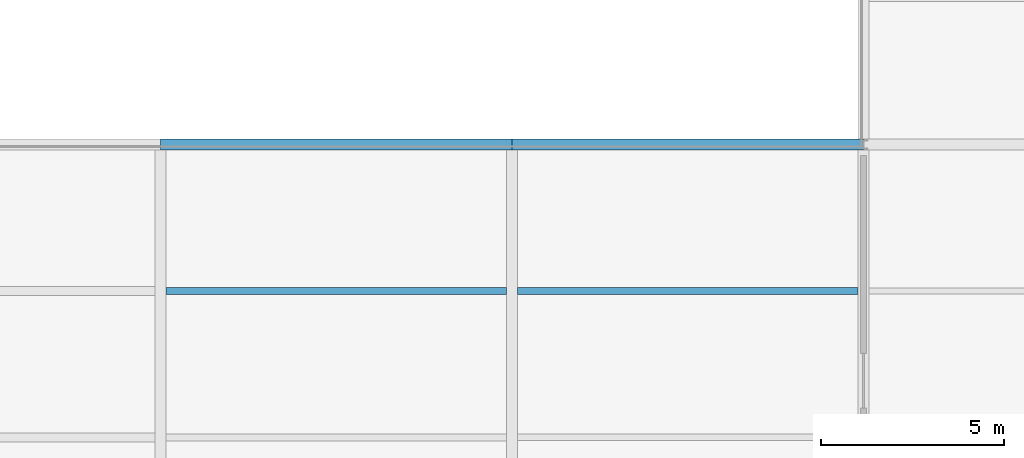
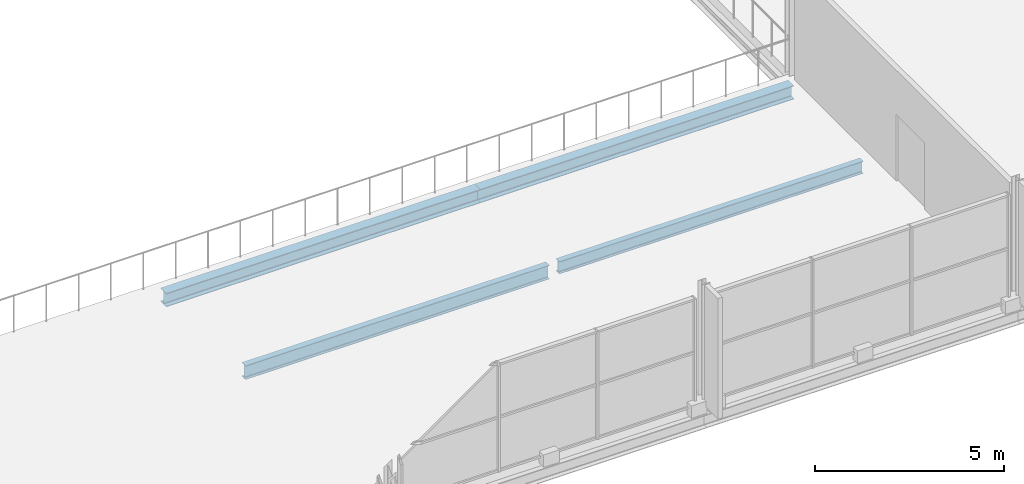
# One storey, part 28 of 117: 4 beams.
"""IFC4 building model written with IfcOpenShell, lengths in metres."""

import ifcopenshell
import ifcopenshell.guid

model = None  # the IFC model being written
_history = None  # IfcOwnerHistory: only IFC2X3 demands one
_inside = {}  # id of a spatial element -> (the spatial element, [elements in it])
_under = {}  # id of a project, library or spatial element -> (it, [spatial elements below it])
_declared = {}  # id of a project -> (the project, [libraries it declares])
_typed = {}  # id of a type object -> (the type object, [elements of that type])
_made_of = {}  # id of a material, layer set ... -> (it, [elements and type objects made of it])


def new_model(schema):
    """Start an empty IFC model of exactly this schema.

    Asked for "IFC4X3", IfcOpenShell would pick the latest addendum, in which some entities
    have other attributes; the version numbers below select the first issue.
    IFC2X3 requires an IfcOwnerHistory on every rooted entity: one is made here for all.
    """
    global model, _history
    if schema == "IFC4X3":
        model = ifcopenshell.file(schema_version=(4, 3, 0, 0))
    else:
        model = ifcopenshell.file(schema=schema)
    _inside.clear()
    _under.clear()
    _declared.clear()
    _typed.clear()
    _made_of.clear()
    _history = None
    if model.schema == "IFC2X3":
        org = make("IfcOrganization", Name="unknown")
        user = make(
            "IfcPersonAndOrganization",
            ThePerson=make("IfcPerson", FamilyName="unknown"),
            TheOrganization=org,
        )
        app = make(
            "IfcApplication",
            ApplicationDeveloper=org,
            Version="unknown",
            ApplicationFullName="unknown",
            ApplicationIdentifier="unknown",
        )
        _history = make(
            "IfcOwnerHistory",
            OwningUser=user,
            OwningApplication=app,
            ChangeAction="ADDED",
            CreationDate=0,
        )
    return model


def make(cls, **values):
    """One entity of the class cls with the attributes given. An attribute that is None is left unset."""
    return model.create_entity(
        cls, **{name: value for name, value in values.items() if value is not None}
    )


def rooted(cls, **values):
    """An entity with a GlobalId (a new one), such as an element, a storey or a relation."""
    return make(cls, GlobalId=ifcopenshell.guid.new(), OwnerHistory=_history, **values)


def si_unit(unit_type, name, prefix=None):
    """IfcSIUnit, for example si_unit("LENGTHUNIT", "METRE", prefix="MILLI")."""
    return make("IfcSIUnit", UnitType=unit_type, Prefix=prefix, Name=name)


def assignment(units):
    """IfcUnitAssignment: the units of a project."""
    return None if units is None else make("IfcUnitAssignment", Units=units)


def point(xyz):
    """IfcCartesianPoint."""
    return None if xyz is None else make("IfcCartesianPoint", Coordinates=xyz)


def direction(xyz):
    """IfcDirection."""
    return None if xyz is None else make("IfcDirection", DirectionRatios=xyz)


def frame(location, z_axis=None, x_axis=None):
    """IfcAxis2Placement3D, a coordinate frame: its origin and axes. An axis left out is left unset."""
    return make(
        "IfcAxis2Placement3D",
        Location=point(location),
        Axis=direction(z_axis),
        RefDirection=direction(x_axis),
    )


def frame_2d(location, x_axis=None):
    """IfcAxis2Placement2D, a coordinate frame in the plane: its origin and x axis."""
    return make(
        "IfcAxis2Placement2D", Location=point(location), RefDirection=direction(x_axis)
    )


def origin():
    """The frame at (0, 0, 0) with its axes left unset."""
    return frame((0.0, 0.0, 0.0))


def origin_2d():
    """The frame at (0, 0) in the plane with its x axis left unset."""
    return frame_2d((0.0, 0.0))


def place(relative_to, where):
    """IfcLocalPlacement: puts the frame where relative to a parent placement (None: the world)."""
    return make(
        "IfcLocalPlacement", PlacementRelTo=relative_to, RelativePlacement=where
    )


def context(
    kind, dimensions, precision=None, world=None, true_north=None, identifier=None
):
    """IfcGeometricRepresentationContext, for example the 3D "Model" context."""
    return make(
        "IfcGeometricRepresentationContext",
        ContextIdentifier=identifier,
        ContextType=kind,
        CoordinateSpaceDimension=dimensions,
        Precision=precision,
        WorldCoordinateSystem=world,
        TrueNorth=true_north,
    )


def subcontext(parent, identifier, kind, view, scale=None):
    """IfcGeometricRepresentationSubContext, for example "Body" below "Model"."""
    return make(
        "IfcGeometricRepresentationSubContext",
        ContextIdentifier=identifier,
        ContextType=kind,
        ParentContext=parent,
        TargetScale=scale,
        TargetView=view,
    )


def project(units=None, contexts=None):
    """IfcProject with its units and contexts."""
    return rooted(
        "IfcProject",
        Name="project",
        RepresentationContexts=contexts,
        UnitsInContext=assignment(units),
    )


def spatial(cls, under=None, at=None, **own):
    """A site, building, storey or space (cls), placed at a placement, below another one or the project."""
    s = rooted(cls, ObjectPlacement=at, **own)
    if under is not None:
        _under.setdefault(under.id(), (under, []))[1].append(s)
    return s


def profile(cls, at=None, kind="AREA", **sizes):
    """A parametric profile (cls). Its sizes go by their IFC names, for example OverallWidth=200.0."""
    return make(cls, ProfileType=kind, Position=at, **sizes)


def i_section(**sizes):
    """IfcIShapeProfileDef."""
    return profile("IfcIShapeProfileDef", **sizes)


def extrude(swept, where, along, depth):
    """IfcExtrudedAreaSolid: the profile swept, set in the frame where, extruded along a direction by depth."""
    return make(
        "IfcExtrudedAreaSolid",
        SweptArea=swept,
        Position=where,
        ExtrudedDirection=direction(along),
        Depth=depth,
    )


def shape(context_of_items, identifier, shape_type, items):
    """IfcShapeRepresentation: the items that make up one representation, for example the "Body"."""
    return make(
        "IfcShapeRepresentation",
        ContextOfItems=context_of_items,
        RepresentationIdentifier=identifier,
        RepresentationType=shape_type,
        Items=items,
    )


def material(Name=None, Category=None):
    """IfcMaterial."""
    return make("IfcMaterial", Name=Name, Category=Category)


def material_profile(
    of_material, cross_section, Name=None, Category=None, Priority=None
):
    """IfcMaterialProfile: a cross section and its material."""
    return make(
        "IfcMaterialProfile",
        Name=Name,
        Material=of_material,
        Profile=cross_section,
        Priority=Priority,
        Category=Category,
    )


def profile_set(profiles, Name=None, composite=None):
    """IfcMaterialProfileSet."""
    return make(
        "IfcMaterialProfileSet",
        Name=Name,
        MaterialProfiles=profiles,
        CompositeProfile=composite,
    )


def made_of(thing, what):
    """Note that an element or type object is made of a material, layer set ...; save() writes the relation."""
    if what is not None:
        _made_of.setdefault(what.id(), (what, []))[1].append(thing)
    return thing


def type_object(cls, material=None, **own):
    """A type object (cls), such as IfcWallType, which elements share."""
    return made_of(rooted(cls, **own), material)


def element(
    cls,
    number,
    at=None,
    inside=None,
    cuts=None,
    type_object=None,
    material=None,
    context=None,
    identifier="Body",
    shape_type=None,
    held_by="IfcProductDefinitionShape",
    body=None,
    shapes=None,
    **own,
):
    """One element of the class cls, such as IfcWall. Its Tag is "e" and its number.

    at: its placement. inside: the storey or other place that contains it. cuts: it is an
    opening in that element (IfcRelVoidsElement). A single representation is given by context,
    identifier, shape_type and body (its items); several are given by shapes. held_by: the class
    of the entity that holds the representations. save() writes the other relations.
    """
    e = rooted(cls, Tag="e%d" % number, ObjectPlacement=at, **own)
    if body is not None:
        shapes = [shape(context, identifier, shape_type, body)]
    if shapes is not None:
        e.Representation = make(held_by, Representations=shapes)
    if inside is not None:
        _inside.setdefault(inside.id(), (inside, []))[1].append(e)
    if cuts is not None:
        rooted(
            "IfcRelVoidsElement", RelatingBuildingElement=cuts, RelatedOpeningElement=e
        )
    if type_object is not None:
        _typed.setdefault(type_object.id(), (type_object, []))[1].append(e)
    return made_of(e, material)


def aggregate(whole, parts):
    """IfcRelAggregates: a whole, such as a stair, and the parts it consists of."""
    return rooted("IfcRelAggregates", RelatingObject=whole, RelatedObjects=parts)


def save(model, path):
    """Write the relations noted so far, then the file.

    IfcRelAggregates (storeys below a building ...), IfcRelContainedInSpatialStructure (elements
    in a storey), IfcRelDefinesByType, IfcRelAssociatesMaterial and IfcRelDeclares: one each for
    every whole, place, type object, material and project.
    """
    for whole, parts in _under.values():
        aggregate(whole, parts)
    for where, things in _inside.values():
        rooted(
            "IfcRelContainedInSpatialStructure",
            RelatedElements=things,
            RelatingStructure=where,
        )
    for kind, things in _typed.values():
        rooted("IfcRelDefinesByType", RelatedObjects=things, RelatingType=kind)
    for what, things in _made_of.values():
        rooted("IfcRelAssociatesMaterial", RelatedObjects=things, RelatingMaterial=what)
    for by, libraries in _declared.values():
        rooted("IfcRelDeclares", RelatingContext=by, RelatedDefinitions=libraries)
    model.write(path)


model = new_model("IFC4")

# Units and contexts
model_context = context("Model", 3, precision=1e-05, world=origin(), true_north=direction((0.0, 1.0)))
body_context = subcontext(model_context, "Body", "Model", "MODEL_VIEW")
ifc_project = project(units=[si_unit("LENGTHUNIT", "METRE"), si_unit("AREAUNIT", "SQUARE_METRE"), si_unit("VOLUMEUNIT", "CUBIC_METRE"), si_unit("PLANEANGLEUNIT", "RADIAN"), si_unit("MASSUNIT", "GRAM", prefix="KILO")], contexts=[model_context])

# Site, building, storey
site_placement = place(None, origin())
site = spatial("IfcSite", under=ifc_project, at=site_placement, CompositionType="ELEMENT")
building_placement = place(site_placement, origin())
building = spatial("IfcBuilding", under=site, at=building_placement, Name="Merenkruunu Market Hall", CompositionType="ELEMENT")
storey_placement = place(building_placement, frame((0.0, 0.0, 10.199951171875)))
storey = spatial("IfcBuildingStorey", under=building, at=storey_placement, Name="L02", CompositionType="ELEMENT", Elevation=10.199951171875)

# Beams
ifc_material = material(Name="Steel S355J2", Category="steel")
ifc_material_profile_1 = material_profile(ifc_material, i_section(OverallWidth=0.300048828125, OverallDepth=0.43994140625, WebThickness=0.011474609375, FlangeThickness=0.02099609375, FilletRadius=0.027099609375, at=origin_2d()), Name="HEA 450")
ifc_profile_set_1 = profile_set([ifc_material_profile_1], Name="Steel S355J2")
beam_type_1 = type_object("IfcBeamType", Name="Primary Floor Girder B07", PredefinedType="BEAM", material=ifc_profile_set_1)
beam_1_placement = place(storey_placement, frame((28.800048828125, 27.60009765625, -0.530029296875), z_axis=(1.0, 0.0, 0.0), x_axis=(0.0, 1.0, 0.0)))
element("IfcBeam", 1, at=beam_1_placement, inside=storey, type_object=beam_type_1, Name="BM-L02-B07-0753", PredefinedType="BEAM", context=body_context, shape_type="SweptSolid", body=[
    extrude(i_section(OverallWidth=0.300048828125, OverallDepth=0.43994140625, WebThickness=0.011474609375, FlangeThickness=0.02099609375, FilletRadius=0.027099609375, at=origin_2d()), origin(), (0.0, 0.0, 1.0), 9.599853515625),
])
beam_2_placement = place(storey_placement, frame((38.39990234375, 27.60009765625, -0.530029296875), z_axis=(1.0, 0.0, 0.0), x_axis=(0.0, 1.0, 0.0)))
element("IfcBeam", 2, at=beam_2_placement, inside=storey, type_object=beam_type_1, Name="BM-L02-B07-0754", PredefinedType="BEAM", context=body_context, shape_type="SweptSolid", body=[
    extrude(i_section(OverallWidth=0.300048828125, OverallDepth=0.43994140625, WebThickness=0.011474609375, FlangeThickness=0.02099609375, FilletRadius=0.027099609375, at=origin_2d()), origin(), (0.0, 0.0, 1.0), 9.60009765625),
])
ifc_material_profile_2 = material_profile(ifc_material, i_section(OverallWidth=0.18994140625, OverallDepth=0.449951171875, WebThickness=0.009521484375, FlangeThickness=0.0146484375, FilletRadius=0.02099609375, at=origin_2d()), Name="IPE 450")
ifc_profile_set_2 = profile_set([ifc_material_profile_2], Name="Steel S355J2")
beam_type_2 = type_object("IfcBeamType", Name="Secondary Floor Joist J01", PredefinedType="JOIST", material=ifc_profile_set_2)
beam_3_placement = place(storey_placement, frame((28.952880859375, 23.60009765625, -0.534912109375), z_axis=(1.0, 0.0, 0.0), x_axis=(0.0, 1.0, 0.0)))
element("IfcBeam", 3, at=beam_3_placement, inside=storey, type_object=beam_type_2, Name="BM-L02-J01-0819", PredefinedType="JOIST", context=body_context, shape_type="SweptSolid", body=[
    extrude(i_section(OverallWidth=0.18994140625, OverallDepth=0.449951171875, WebThickness=0.009521484375, FlangeThickness=0.0146484375, FilletRadius=0.02099609375, at=origin_2d()), origin(), (0.0, 0.0, 1.0), 9.294189453125),
])
ifc_material_profile_3 = material_profile(ifc_material, i_section(OverallWidth=0.179931640625, OverallDepth=0.39990234375, WebThickness=0.008544921875, FlangeThickness=0.013427734375, FilletRadius=0.02099609375, at=origin_2d()), Name="IPE 400")
ifc_profile_set_3 = profile_set([ifc_material_profile_3], Name="Steel S355J2")
beam_type_3 = type_object("IfcBeamType", Name="Secondary Floor Joist J02", PredefinedType="JOIST", material=ifc_profile_set_3)
beam_4_placement = place(storey_placement, frame((38.552978515625, 23.60009765625, -0.510009765625), z_axis=(1.0, 0.0, 0.0), x_axis=(0.0, 1.0, 0.0)))
element("IfcBeam", 4, at=beam_4_placement, inside=storey, type_object=beam_type_3, Name="BM-L02-J02-0821", PredefinedType="JOIST", context=body_context, shape_type="SweptSolid", body=[
    extrude(i_section(OverallWidth=0.179931640625, OverallDepth=0.39990234375, WebThickness=0.008544921875, FlangeThickness=0.013427734375, FilletRadius=0.02099609375, at=origin_2d()), origin(), (0.0, 0.0, 1.0), 9.2939453125),
])

save(model, "model.ifc")
